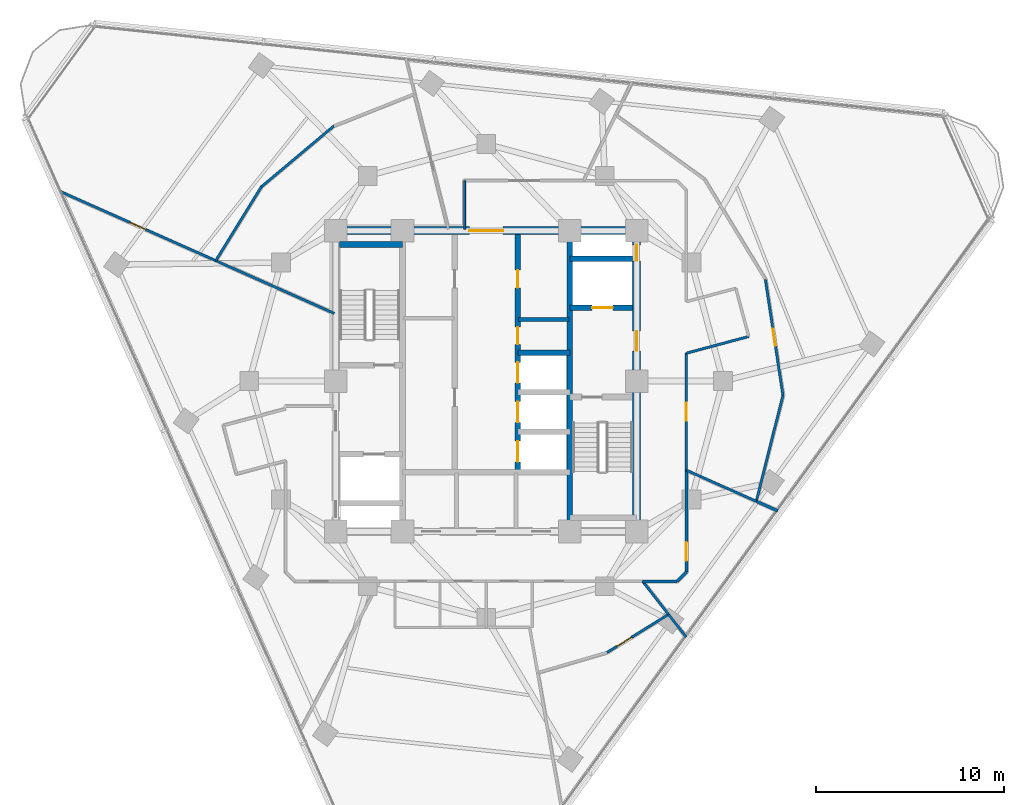
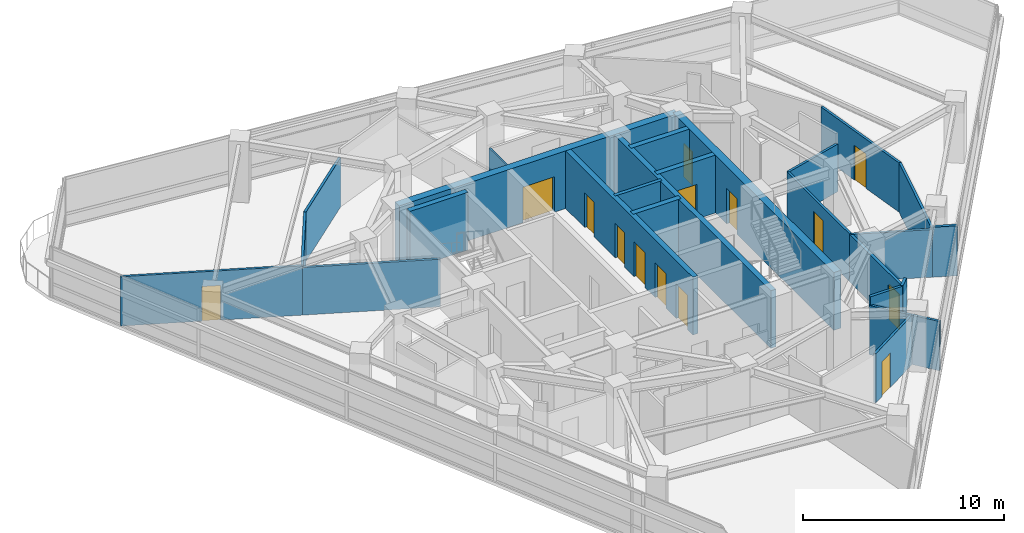
# One storey, part 9 of 15: 26 walls, 14 doors, 14 openings.
"""IFC4 building model written with IfcOpenShell, lengths in metres."""

from ifc_helpers import new_model, si_unit, direction, frame, frame_2d, origin, place, context, subcontext, project, spatial, rectangle, extrude, material, layer, layer_set, type_object, element, fill, save


model = new_model("IFC4")

# Units and contexts
model_context = context("Model", 3, precision=1e-05, world=origin(), true_north=direction((0.0, 1.0)))
body_context = subcontext(model_context, "Body", "Model", "MODEL_VIEW")
ifc_project = project(units=[si_unit("LENGTHUNIT", "METRE"), si_unit("AREAUNIT", "SQUARE_METRE"), si_unit("VOLUMEUNIT", "CUBIC_METRE"), si_unit("PLANEANGLEUNIT", "RADIAN"), si_unit("MASSUNIT", "GRAM", prefix="KILO")], contexts=[model_context])

# Site, building, storey
site_placement = place(None, origin())
site = spatial("IfcSite", under=ifc_project, at=site_placement, CompositionType="ELEMENT")
building_placement = place(site_placement, origin())
building = spatial("IfcBuilding", under=site, at=building_placement, Name="Terralouvre Media Tower", CompositionType="ELEMENT")
storey_placement = place(building_placement, frame((0.0, 0.0, 233.699951171875)))
storey = spatial("IfcBuildingStorey", under=building, at=storey_placement, Name="L60", CompositionType="ELEMENT", Elevation=233.699951171875)

# Walls
ifc_material_1 = material(Name="Concrete C50/60", Category="concrete")
ifc_layer_1 = layer(ifc_material_1, 0.300048828125, Name="Core Internal Shaft Wall CW-300")
ifc_layer_set_1 = layer_set([ifc_layer_1], Name="Concrete C50/60")
wall_type_1 = type_object("IfcWallType", Name="Core Internal Shaft Wall CW-300", PredefinedType="SHEAR", material=ifc_layer_set_1)
wall_1_placement = place(storey_placement, frame((4.449951171875, -7.7900390625, 0.0), z_axis=(0.0, 0.0, 1.0), x_axis=(0.0, 1.0, 0.0)))
element("IfcWall", 1, at=wall_1_placement, inside=storey, type_object=wall_type_1, Name="L60 Core Shaft Wall SPE", PredefinedType="SHEAR", context=body_context, shape_type="SweptSolid", body=[
    extrude(rectangle(XDim=15.580078125, YDim=0.300048828125, at=frame_2d((7.7900390625, 0.0))), origin(), (0.0, 0.0, 1.0), 3.5),
])
wall_2_placement = place(storey_placement, frame((-7.7900390625, 7.260009765625, 0.0), z_axis=(0.0, 0.0, 1.0), x_axis=(1.0, 0.0, 0.0)))
element("IfcWall", 2, at=wall_2_placement, inside=storey, type_object=wall_type_1, Name="L60 Core Shaft Wall ST1F", PredefinedType="SHEAR", context=body_context, shape_type="SweptSolid", body=[
    extrude(rectangle(XDim=3.340087890625, YDim=0.300048828125, at=frame_2d((1.669921875, 0.0))), origin(), (0.0, 0.0, 1.0), 3.5),
])

# Wall, opening, door
wall_3_placement = place(storey_placement, frame((4.449951171875, 3.89990234375, 0.0), z_axis=(0.0, 0.0, 1.0), x_axis=(1.0, 0.0, 0.0)))
wall_3 = element("IfcWall", 3, at=wall_3_placement, inside=storey, type_object=wall_type_1, Name="L60 Core Shaft Wall FF2S", PredefinedType="SHEAR", context=body_context, shape_type="SweptSolid", body=[
    extrude(rectangle(XDim=3.340087890625, YDim=0.300048828125, at=frame_2d((1.669921875, 0.0))), origin(), (0.0, 0.0, 1.0), 3.5),
])
opening_1_placement = place(wall_3_placement, frame((1.179931640625, 0.0, 0.0)))
opening_1 = element("IfcOpeningElement", 4, at=opening_1_placement, cuts=wall_3, Name="Opening LD-FF", PredefinedType="OPENING", context=body_context, shape_type="SweptSolid", body=[
    extrude(rectangle(XDim=1.10009765625, YDim=2.10009765625, at=frame_2d((0.550048828125, 1.050048828125))), frame((0.0, 0.159912109375, 0.0), z_axis=(0.0, -1.0, 0.0), x_axis=(1.0, 0.0, 0.0)), (0.0, 0.0, 1.0), 0.320068359375),
])
ifc_material_2 = material(Name="Stainless steel 316 handrail and balustrade", Category="steel")
door_type_1 = type_object("IfcDoorType", Name="Firefighting Lift Sliding Landing Door LD-FF", OperationType="SLIDING_TO_LEFT", PredefinedType="DOOR", material=ifc_material_2)
door_1_placement = place(opening_1_placement, origin())
door_1 = element("IfcDoor", 5, at=door_1_placement, inside=storey, type_object=door_type_1, Name="L60 Firefighting Lift FFL-02 Landing Door", OperationType="SLIDING_TO_LEFT", OverallHeight=2.10009765625, OverallWidth=1.10009765625, PredefinedType="DOOR", context=body_context, shape_type="SweptSolid", body=[
    extrude(rectangle(XDim=1.10009765625, YDim=2.10009765625, at=frame_2d((0.550048828125, 1.050048828125))), frame((0.0, 0.02490234375, 0.0), z_axis=(0.0, -1.0, 0.0), x_axis=(1.0, 0.0, 0.0)), (0.0, 0.0, 1.0), 0.050048828125),
])
fill(opening_1, door_1)

# Wall
wall_4_placement = place(storey_placement, frame((4.449951171875, 6.5, 0.0), z_axis=(0.0, 0.0, 1.0), x_axis=(1.0, 0.0, 0.0)))
element("IfcWall", 6, at=wall_4_placement, inside=storey, type_object=wall_type_1, Name="L60 Core Shaft Wall FF2N", PredefinedType="SHEAR", context=body_context, shape_type="SweptSolid", body=[
    extrude(rectangle(XDim=3.340087890625, YDim=0.300048828125, at=frame_2d((1.669921875, 0.0))), origin(), (0.0, 0.0, 1.0), 3.5),
])

# Wall, openings, doors
wall_5_placement = place(storey_placement, frame((1.679931640625, -4.85009765625, 0.0), z_axis=(0.0, 0.0, 1.0), x_axis=(0.0, 1.0, 0.0)))
wall_5 = element("IfcWall", 7, at=wall_5_placement, inside=storey, type_object=wall_type_1, Name="L60 Core Shaft Wall LBE", PredefinedType="SHEAR", context=body_context, shape_type="SweptSolid", body=[
    extrude(rectangle(XDim=12.64013671875, YDim=0.300048828125, at=frame_2d((6.320068359375, 0.0))), origin(), (0.0, 0.0, 1.0), 3.5),
])
opening_2_placement = place(wall_5_placement, frame((0.550048828125, 0.0, 0.0)))
opening_2 = element("IfcOpeningElement", 8, at=opening_2_placement, cuts=wall_5, Name="Opening LD-PL", PredefinedType="OPENING", context=body_context, shape_type="SweptSolid", body=[
    extrude(rectangle(XDim=1.10009765625, YDim=2.10009765625, at=frame_2d((0.550048828125, 1.050048828125))), frame((0.0, 0.159912109375, 0.0), z_axis=(0.0, -1.0, 0.0), x_axis=(1.0, 0.0, 0.0)), (0.0, 0.0, 1.0), 0.320068359375),
])
opening_3_placement = place(wall_5_placement, frame((2.64990234375, 0.0, 0.0)))
opening_3 = element("IfcOpeningElement", 9, at=opening_3_placement, cuts=wall_5, Name="Opening LD-PL", PredefinedType="OPENING", context=body_context, shape_type="SweptSolid", body=[
    extrude(rectangle(XDim=1.10009765625, YDim=2.10009765625, at=frame_2d((0.550048828125, 1.050048828125))), frame((0.0, 0.159912109375, 0.0), z_axis=(0.0, -1.0, 0.0), x_axis=(1.0, 0.0, 0.0)), (0.0, 0.0, 1.0), 0.320068359375),
])
opening_4_placement = place(wall_5_placement, frame((4.75, 0.0, 0.0)))
opening_4 = element("IfcOpeningElement", 10, at=opening_4_placement, cuts=wall_5, Name="Opening LD-PL", PredefinedType="OPENING", context=body_context, shape_type="SweptSolid", body=[
    extrude(rectangle(XDim=1.10009765625, YDim=2.10009765625, at=frame_2d((0.550048828125, 1.050048828125))), frame((0.0, 0.159912109375, 0.0), z_axis=(0.0, -1.0, 0.0), x_axis=(1.0, 0.0, 0.0)), (0.0, 0.0, 1.0), 0.320068359375),
])
opening_5_placement = place(wall_5_placement, frame((6.800048828125, 0.0, 0.0)))
opening_5 = element("IfcOpeningElement", 11, at=opening_5_placement, cuts=wall_5, Name="Opening FD-05-92X210", PredefinedType="OPENING", context=body_context, shape_type="SweptSolid", body=[
    extrude(rectangle(XDim=0.919921875, YDim=2.10009765625, at=frame_2d((0.4599609375, 1.050048828125))), frame((0.0, 0.159912109375, 0.0), z_axis=(0.0, -1.0, 0.0), x_axis=(1.0, 0.0, 0.0)), (0.0, 0.0, 1.0), 0.320068359375),
])
opening_6_placement = place(wall_5_placement, frame((9.800048828125, 0.0, 0.0)))
opening_6 = element("IfcOpeningElement", 12, at=opening_6_placement, cuts=wall_5, Name="Opening FD-02-95X210", PredefinedType="OPENING", context=body_context, shape_type="SweptSolid", body=[
    extrude(rectangle(XDim=0.949951171875, YDim=2.10009765625, at=frame_2d((0.47509765625, 1.050048828125))), frame((0.0, 0.159912109375, 0.0), z_axis=(0.0, -1.0, 0.0), x_axis=(1.0, 0.0, 0.0)), (0.0, 0.0, 1.0), 0.320068359375),
])
ifc_material_3 = material(Name="Galvanised steel fire-resisting leaf", Category="steel")
door_type_2 = type_object("IfcDoorType", Name="Core Accessible Closet Fire Door FD-05 (920x2100)", OperationType="NOTDEFINED", PredefinedType="DOOR", material=ifc_material_3)
door_2_placement = place(opening_5_placement, origin())
door_2 = element("IfcDoor", 13, at=door_2_placement, inside=storey, type_object=door_type_2, Name="L60 Core Safe Store Door", OperationType="SINGLE_SWING_LEFT", OverallHeight=2.10009765625, OverallWidth=0.919921875, PredefinedType="DOOR", context=body_context, shape_type="SweptSolid", body=[
    extrude(rectangle(XDim=0.919921875, YDim=2.10009765625, at=frame_2d((0.4599609375, 1.050048828125))), frame((0.0, 0.02490234375, 0.0), z_axis=(0.0, -1.0, 0.0), x_axis=(1.0, 0.0, 0.0)), (0.0, 0.0, 1.0), 0.050048828125),
])
fill(opening_5, door_2)
ifc_material_4 = material(Name="Stainless steel 316 handrail and balustrade", Category="steel")
door_type_3 = type_object("IfcDoorType", Name="Passenger Lift Sliding Landing Door LD-PL", OperationType="SLIDING_TO_LEFT", PredefinedType="DOOR", material=ifc_material_4)
door_3_placement = place(opening_2_placement, origin())
door_3 = element("IfcDoor", 14, at=door_3_placement, inside=storey, type_object=door_type_3, Name="L60 High-Rise Lift PL-H1 Landing Door", OperationType="SLIDING_TO_LEFT", OverallHeight=2.10009765625, OverallWidth=1.10009765625, PredefinedType="DOOR", context=body_context, shape_type="SweptSolid", body=[
    extrude(rectangle(XDim=1.10009765625, YDim=2.10009765625, at=frame_2d((0.550048828125, 1.050048828125))), frame((0.0, 0.02490234375, 0.0), z_axis=(0.0, -1.0, 0.0), x_axis=(1.0, 0.0, 0.0)), (0.0, 0.0, 1.0), 0.050048828125),
])
fill(opening_2, door_3)
door_4_placement = place(opening_3_placement, origin())
door_4 = element("IfcDoor", 15, at=door_4_placement, inside=storey, type_object=door_type_3, Name="L60 High-Rise Lift PL-H2 Landing Door", OperationType="SLIDING_TO_LEFT", OverallHeight=2.10009765625, OverallWidth=1.10009765625, PredefinedType="DOOR", context=body_context, shape_type="SweptSolid", body=[
    extrude(rectangle(XDim=1.10009765625, YDim=2.10009765625, at=frame_2d((0.550048828125, 1.050048828125))), frame((0.0, 0.02490234375, 0.0), z_axis=(0.0, -1.0, 0.0), x_axis=(1.0, 0.0, 0.0)), (0.0, 0.0, 1.0), 0.050048828125),
])
fill(opening_3, door_4)
door_5_placement = place(opening_4_placement, origin())
door_5 = element("IfcDoor", 16, at=door_5_placement, inside=storey, type_object=door_type_3, Name="L60 High-Rise Lift PL-H3 Landing Door", OperationType="SLIDING_TO_LEFT", OverallHeight=2.10009765625, OverallWidth=1.10009765625, PredefinedType="DOOR", context=body_context, shape_type="SweptSolid", body=[
    extrude(rectangle(XDim=1.10009765625, YDim=2.10009765625, at=frame_2d((0.550048828125, 1.050048828125))), frame((0.0, 0.02490234375, 0.0), z_axis=(0.0, -1.0, 0.0), x_axis=(1.0, 0.0, 0.0)), (0.0, 0.0, 1.0), 0.050048828125),
])
fill(opening_4, door_5)
ifc_material_5 = material(Name="Galvanised steel fire-resisting leaf", Category="steel")
door_type_4 = type_object("IfcDoorType", Name="Plant and Riser Fire Door FD-02 (950x2100)", OperationType="NOTDEFINED", PredefinedType="DOOR", material=ifc_material_5)
door_6_placement = place(opening_6_placement, origin())
door_6 = element("IfcDoor", 17, at=door_6_placement, inside=storey, type_object=door_type_4, Name="L60 Core IT Patch Plant Door", OperationType="SINGLE_SWING_RIGHT", OverallHeight=2.10009765625, OverallWidth=0.949951171875, PredefinedType="DOOR", context=body_context, shape_type="SweptSolid", body=[
    extrude(rectangle(XDim=0.949951171875, YDim=2.10009765625, at=frame_2d((0.47509765625, 1.050048828125))), frame((0.0, 0.02490234375, 0.0), z_axis=(0.0, -1.0, 0.0), x_axis=(1.0, 0.0, 0.0)), (0.0, 0.0, 1.0), 0.050048828125),
])
fill(opening_6, door_6)

# Wall
wall_6_placement = place(storey_placement, frame((1.679931640625, 1.5, 0.0), z_axis=(0.0, 0.0, 1.0), x_axis=(1.0, 0.0, 0.0)))
element("IfcWall", 18, at=wall_6_placement, inside=storey, type_object=wall_type_1, Name="L60 Core Shaft Wall PLMBOT", PredefinedType="SHEAR", context=body_context, shape_type="SweptSolid", body=[
    extrude(rectangle(XDim=2.77001953125, YDim=0.300048828125, at=frame_2d((1.385009765625, 0.0))), origin(), (0.0, 0.0, 1.0), 3.5),
])

# Wall, openings, doors
ifc_material_6 = material(Name="Concrete C60/75", Category="concrete")
ifc_layer_2 = layer(ifc_material_6, 0.419921875, Name="Core Reinforced Concrete Shear Wall CW-420")
ifc_layer_set_2 = layer_set([ifc_layer_2], Name="Concrete C60/75")
wall_type_2 = type_object("IfcWallType", Name="Core Reinforced Concrete Shear Wall CW-420", PredefinedType="SHEAR", material=ifc_layer_set_2)
wall_7_placement = place(storey_placement, frame((8.0, -8.0, 0.0), z_axis=(0.0, 0.0, 1.0), x_axis=(0.0, 1.0, 0.0)))
wall_7 = element("IfcWall", 19, at=wall_7_placement, inside=storey, type_object=wall_type_2, Name="L60 E Core Shear Wall", PredefinedType="SHEAR", context=body_context, shape_type="SweptSolid", body=[
    extrude(rectangle(XDim=16.0, YDim=0.419921875, at=frame_2d((8.0, 0.0))), origin(), (0.0, 0.0, 1.0), 3.5),
])
opening_7_placement = place(wall_7_placement, frame((9.60009765625, 0.0, 0.0)))
opening_7 = element("IfcOpeningElement", 20, at=opening_7_placement, cuts=wall_7, Name="Opening FD-01-105X215", PredefinedType="OPENING", context=body_context, shape_type="SweptSolid", body=[
    extrude(rectangle(XDim=1.050048828125, YDim=2.14990234375, at=frame_2d((0.52490234375, 1.074951171875))), frame((0.0, 0.219970703125, 0.0), z_axis=(0.0, -1.0, 0.0), x_axis=(1.0, 0.0, 0.0)), (0.0, 0.0, 1.0), 0.43994140625),
])
opening_8_placement = place(wall_7_placement, frame((14.388671875, 0.0, 0.0)))
opening_8 = element("IfcOpeningElement", 21, at=opening_8_placement, cuts=wall_7, Name="Opening TD-R1", PredefinedType="OPENING", context=body_context, shape_type="SweptSolid", body=[
    extrude(rectangle(XDim=0.85009765625, YDim=2.02001953125, at=frame_2d((0.425048828125, 1.010009765625))), frame((0.0, 0.219970703125, 0.0), z_axis=(0.0, -1.0, 0.0), x_axis=(1.0, 0.0, 0.0)), (0.0, 0.0, 1.0), 0.43994140625),
])
ifc_material_7 = material(Name="Galvanised steel fire-resisting leaf", Category="steel")
door_type_5 = type_object("IfcDoorType", Name="Riser Inspection Access Trapdoor TD-R1", OperationType="NOTDEFINED", PredefinedType="TRAPDOOR", material=ifc_material_7)
door_7_placement = place(opening_8_placement, origin())
door_7 = element("IfcDoor", 22, at=door_7_placement, inside=storey, type_object=door_type_5, Name="L60 East Comms Riser Access Trapdoor", OperationType="SINGLE_SWING_RIGHT", OverallHeight=2.02001953125, OverallWidth=0.85009765625, PredefinedType="TRAPDOOR", context=body_context, shape_type="SweptSolid", body=[
    extrude(rectangle(XDim=0.85009765625, YDim=2.02001953125, at=frame_2d((0.425048828125, 1.010009765625))), frame((0.0, 0.02490234375, 0.0), z_axis=(0.0, -1.0, 0.0), x_axis=(1.0, 0.0, 0.0)), (0.0, 0.0, 1.0), 0.050048828125),
])
fill(opening_8, door_7)
ifc_material_8 = material(Name="Galvanised steel fire-resisting leaf", Category="steel")
door_type_6 = type_object("IfcDoorType", Name="Stair and Firefighting Lobby Fire Door FD-01 (1050x2150)", OperationType="NOTDEFINED", PredefinedType="DOOR", material=ifc_material_8)
door_8_placement = place(opening_7_placement, origin())
door_8 = element("IfcDoor", 23, at=door_8_placement, inside=storey, type_object=door_type_6, Name="L60 East Firefighting Lobby Entry Door", OperationType="SINGLE_SWING_LEFT", OverallHeight=2.14990234375, OverallWidth=1.050048828125, PredefinedType="DOOR", context=body_context, shape_type="SweptSolid", body=[
    extrude(rectangle(XDim=1.050048828125, YDim=2.14990234375, at=frame_2d((0.52490234375, 1.074951171875))), frame((0.0, 0.02490234375, 0.0), z_axis=(0.0, -1.0, 0.0), x_axis=(1.0, 0.0, 0.0)), (0.0, 0.0, 1.0), 0.050048828125),
])
fill(opening_7, door_8)

# Wall, opening, door
wall_8_placement = place(storey_placement, frame((-8.0, 8.0, 0.0), z_axis=(0.0, 0.0, 1.0), x_axis=(1.0, 0.0, 0.0)))
wall_8 = element("IfcWall", 24, at=wall_8_placement, inside=storey, type_object=wall_type_2, Name="L60 N Core Shear Wall", PredefinedType="SHEAR", context=body_context, shape_type="SweptSolid", body=[
    extrude(rectangle(XDim=16.0, YDim=0.419921875, at=frame_2d((8.0, 0.0))), origin(), (0.0, 0.0, 1.0), 3.5),
])
opening_9_placement = place(wall_8_placement, frame((7.10009765625, 0.0, 0.0)))
opening_9 = element("IfcOpeningElement", 25, at=opening_9_placement, cuts=wall_8, Name="Opening FD-03", PredefinedType="OPENING", context=body_context, shape_type="SweptSolid", body=[
    extrude(rectangle(XDim=1.800048828125, YDim=2.14990234375, at=frame_2d((0.89990234375, 1.074951171875))), frame((0.0, 0.219970703125, 0.0), z_axis=(0.0, -1.0, 0.0), x_axis=(1.0, 0.0, 0.0)), (0.0, 0.0, 1.0), 0.43994140625),
])
ifc_material_9 = material(Name="Galvanised steel fire-resisting leaf", Category="steel")
door_type_7 = type_object("IfcDoorType", Name="Corridor Smoke-Control Double Door FD-03", OperationType="DOUBLE_DOOR_SINGLE_SWING", PredefinedType="DOOR", material=ifc_material_9)
door_9_placement = place(opening_9_placement, origin())
door_9 = element("IfcDoor", 26, at=door_9_placement, inside=storey, type_object=door_type_7, Name="L60 Central Lift Lobby Portal Door", OperationType="DOUBLE_DOOR_SINGLE_SWING", OverallHeight=2.14990234375, OverallWidth=1.800048828125, PredefinedType="DOOR", context=body_context, shape_type="SweptSolid", body=[
    extrude(rectangle(XDim=1.800048828125, YDim=2.14990234375, at=frame_2d((0.89990234375, 1.074951171875))), frame((0.0, 0.02490234375, 0.0), z_axis=(0.0, -1.0, 0.0), x_axis=(1.0, 0.0, 0.0)), (0.0, 0.0, 1.0), 0.050048828125),
])
fill(opening_9, door_9)

# Walls
ifc_material_10 = material(Name="Low-iron laminated double glazing with solar-control coating", Category="glass")
ifc_layer_3 = layer(ifc_material_10, 0.10009765625, Name="Demountable Glazed Office Partition PT-GL100")
ifc_layer_set_3 = layer_set([ifc_layer_3], Name="Low-iron laminated double glazing with solar-control coating")
wall_type_3 = type_object("IfcWallType", Name="Demountable Glazed Office Partition PT-GL100", PredefinedType="MOVABLE", material=ifc_layer_set_3)
wall_9_placement = place(storey_placement, frame((-1.14990234375, 10.64990234375, 0.0), z_axis=(0.0, 0.0, 1.0), x_axis=(0.0, -1.0, 0.0)))
element("IfcWall", 27, at=wall_9_placement, inside=storey, type_object=wall_type_3, Name="L60 Interior Partition 024", PredefinedType="MOVABLE", context=body_context, shape_type="SweptSolid", body=[
    extrude(rectangle(XDim=2.56982421875, YDim=0.10009765625, at=frame_2d((1.284912109375, 0.0))), origin(), (0.0, 0.0, 1.0), 2.885009765625),
])
ifc_material_11 = material(Name="Fire-rated gypsum board drywall partition")
ifc_layer_4 = layer(ifc_material_11, 0.199951171875, Name="Fire-Rated Shaft and Lobby Partition FW-200")
ifc_layer_set_4 = layer_set([ifc_layer_4], Name="Fire-rated gypsum board drywall partition")
wall_type_4 = type_object("IfcWallType", Name="Fire-Rated Shaft and Lobby Partition FW-200", PredefinedType="SOLIDWALL", material=ifc_layer_set_4)
wall_10_placement = place(storey_placement, frame((1.719970703125, 3.27001953125, 0.0), z_axis=(0.0, 0.0, 1.0), x_axis=(1.0, 0.0, 0.0)))
element("IfcWall", 28, at=wall_10_placement, inside=storey, type_object=wall_type_4, Name="L60 Core East Sub-Partition 1", PredefinedType="SOLIDWALL", context=body_context, shape_type="SweptSolid", body=[
    extrude(rectangle(XDim=2.679931640625, YDim=0.199951171875, at=frame_2d((1.33984375, 0.0))), origin(), (0.0, 0.0, 1.0), 3.5),
])

# Wall, opening, door
ifc_material_12 = material(Name="Fire-rated gypsum board drywall partition")
ifc_layer_5 = layer(ifc_material_12, 0.135009765625, Name="Newsroom Acoustic Partition PT-135")
ifc_layer_set_5 = layer_set([ifc_layer_5], Name="Fire-rated gypsum board drywall partition")
wall_type_5 = type_object("IfcWallType", Name="Newsroom Acoustic Partition PT-135", PredefinedType="PARTITIONING", material=ifc_layer_set_5)
wall_11_placement = place(storey_placement, frame((10.64990234375, -4.741943359375, 0.0), z_axis=(0.0, 0.0, 1.0), x_axis=(0.0, 1.0, 0.0)))
wall_11 = element("IfcWall", 29, at=wall_11_placement, inside=storey, type_object=wall_type_5, Name="L60 Interior Partition 008", PredefinedType="PARTITIONING", context=body_context, shape_type="SweptSolid", body=[
    extrude(rectangle(XDim=6.223876953125, YDim=0.135009765625, at=frame_2d((3.11181640625, 0.0))), origin(), (0.0, 0.0, 1.0), 2.885009765625),
])
opening_10_placement = place(wall_11_placement, frame((2.636962890625, 0.0, 0.0)))
opening_10 = element("IfcOpeningElement", 30, at=opening_10_placement, cuts=wall_11, Name="Opening ID-02-95X210", PredefinedType="OPENING", context=body_context, shape_type="SweptSolid", body=[
    extrude(rectangle(XDim=0.949951171875, YDim=2.10009765625, at=frame_2d((0.47509765625, 1.050048828125))), frame((0.0, 0.077392578125, 0.0), z_axis=(0.0, -1.0, 0.0), x_axis=(1.0, 0.0, 0.0)), (0.0, 0.0, 1.0), 0.155029296875),
])
ifc_material_13 = material(Name="Engineered hardwood acoustic timber leaf", Category="wood")
door_type_8 = type_object("IfcDoorType", Name="Office and Meeting Room Door ID-02 (950x2100)", OperationType="NOTDEFINED", PredefinedType="DOOR", material=ifc_material_13)
door_10_placement = place(opening_10_placement, origin())
door_10 = element("IfcDoor", 31, at=door_10_placement, inside=storey, type_object=door_type_8, Name="L60 Public Records Archive Storage 2 Door", OperationType="SINGLE_SWING_LEFT", OverallHeight=2.10009765625, OverallWidth=0.949951171875, PredefinedType="DOOR", context=body_context, shape_type="SweptSolid", body=[
    extrude(rectangle(XDim=0.949951171875, YDim=2.10009765625, at=frame_2d((0.47509765625, 1.050048828125))), frame((0.0, 0.02490234375, 0.0), z_axis=(0.0, -1.0, 0.0), x_axis=(1.0, 0.0, 0.0)), (0.0, 0.0, 1.0), 0.050048828125),
])
fill(opening_10, door_10)

# Walls
wall_12_placement = place(storey_placement, frame((10.64990234375, 1.48193359375, 0.0), z_axis=(0.0, 0.0, 1.0), x_axis=(0.965961397105, 0.2586862565, 0.0)))
element("IfcWall", 32, at=wall_12_placement, inside=storey, type_object=wall_type_5, Name="L60 Interior Partition 009", PredefinedType="PARTITIONING", context=body_context, shape_type="SweptSolid", body=[
    extrude(rectangle(XDim=3.4287109375, YDim=0.135009765625, at=frame_2d((1.71435546875, 0.0))), origin(), (0.0, 0.0, 1.0), 2.885009765625),
])
wall_13_placement = place(storey_placement, frame((-8.080078125, 3.59716796875, 0.0), z_axis=(0.0, 0.0, 1.0), x_axis=(-0.913494385598, 0.40685133339, 0.0)))
element("IfcWall", 33, at=wall_13_placement, inside=storey, type_object=wall_type_5, Name="L60 Interior Partition 026", PredefinedType="PARTITIONING", context=body_context, shape_type="SweptSolid", body=[
    extrude(rectangle(XDim=6.894287109375, YDim=0.135009765625, at=frame_2d((3.447265625, 0.0))), origin(), (0.0, 0.0, 1.0), 2.885009765625),
])

# Wall, opening, door
wall_14_placement = place(storey_placement, frame((-14.3779296875, 6.402099609375, 0.0), z_axis=(0.0, 0.0, 1.0), x_axis=(-0.913562917951, 0.406697424315, 0.0)))
wall_14 = element("IfcWall", 34, at=wall_14_placement, inside=storey, type_object=wall_type_5, Name="L60 Interior Partition 027", PredefinedType="PARTITIONING", context=body_context, shape_type="SweptSolid", body=[
    extrude(rectangle(XDim=9.07666015625, YDim=0.135009765625, at=frame_2d((4.538330078125, 0.0))), origin(), (0.0, 0.0, 1.0), 2.985107421875),
])
opening_11_placement = place(wall_14_placement, frame((4.078369140625, 0.0, 0.0)))
opening_11 = element("IfcOpeningElement", 35, at=opening_11_placement, cuts=wall_14, Name="Opening FD-05-92X210", PredefinedType="OPENING", context=body_context, shape_type="SweptSolid", body=[
    extrude(rectangle(XDim=0.919921875, YDim=2.10009765625, at=frame_2d((0.4599609375, 1.050048828125))), frame((0.0, 0.077392578125, 0.0), z_axis=(0.0, -1.0, 0.0), x_axis=(1.0, 0.0, 0.0)), (0.0, 0.0, 1.0), 0.155029296875),
])
door_11_placement = place(opening_11_placement, origin())
door_11 = element("IfcDoor", 36, at=door_11_placement, inside=storey, type_object=door_type_2, Name="L60 Encrypted Air-Gap Server Room 10 Door", OperationType="SINGLE_SWING_RIGHT", OverallHeight=2.10009765625, OverallWidth=0.919921875, PredefinedType="DOOR", context=body_context, shape_type="SweptSolid", body=[
    extrude(rectangle(XDim=0.919921875, YDim=2.10009765625, at=frame_2d((0.4599609375, 1.050048828125))), frame((0.0, 0.02490234375, 0.0), z_axis=(0.0, -1.0, 0.0), x_axis=(1.0, 0.0, 0.0)), (0.0, 0.0, 1.0), 0.050048828125),
])
fill(opening_11, door_11)

# Walls
wall_15_placement = place(storey_placement, frame((10.64990234375, -4.741943359375, 0.0), z_axis=(0.0, 0.0, 1.0), x_axis=(0.913556239153, -0.406712426544, 0.0)))
element("IfcWall", 37, at=wall_15_placement, inside=storey, type_object=wall_type_5, Name="L60 Interior Partition 028", PredefinedType="PARTITIONING", context=body_context, shape_type="SweptSolid", body=[
    extrude(rectangle(XDim=4.064453125, YDim=0.135009765625, at=frame_2d((2.0322265625, 0.0))), origin(), (0.0, 0.0, 1.0), 2.885009765625),
])
wall_16_placement = place(storey_placement, frame((14.363037109375, -6.39501953125, 0.0), z_axis=(0.0, 0.0, 1.0), x_axis=(0.244106617879, 0.969748399899, 0.0)))
element("IfcWall", 38, at=wall_16_placement, inside=storey, type_object=wall_type_5, Name="L60 Interior Partition 029", PredefinedType="PARTITIONING", context=body_context, shape_type="SweptSolid", body=[
    extrude(rectangle(XDim=5.812744140625, YDim=0.135009765625, at=frame_2d((2.90625, 0.0))), origin(), (0.0, 0.0, 1.0), 2.985107421875),
])

# Wall, opening, door
wall_17_placement = place(storey_placement, frame((15.781982421875, -0.758056640625, 0.0), z_axis=(0.0, 0.0, 1.0), x_axis=(-0.150025845784, 0.988682075086, 0.0)))
wall_17 = element("IfcWall", 39, at=wall_17_placement, inside=storey, type_object=wall_type_5, Name="L60 Interior Partition 030", PredefinedType="PARTITIONING", context=body_context, shape_type="SweptSolid", body=[
    extrude(rectangle(XDim=6.232666015625, YDim=0.135009765625, at=frame_2d((3.1162109375, 0.0))), origin(), (0.0, 0.0, 1.0), 2.985107421875),
])
opening_12_placement = place(wall_17_placement, frame((2.65625, 0.0, 0.0)))
opening_12 = element("IfcOpeningElement", 40, at=opening_12_placement, cuts=wall_17, Name="Opening ID-03-92X210", PredefinedType="OPENING", context=body_context, shape_type="SweptSolid", body=[
    extrude(rectangle(XDim=0.919921875, YDim=2.10009765625, at=frame_2d((0.4599609375, 1.050048828125))), frame((0.0, 0.077392578125, 0.0), z_axis=(0.0, -1.0, 0.0), x_axis=(1.0, 0.0, 0.0)), (0.0, 0.0, 1.0), 0.155029296875),
])
ifc_material_14 = material(Name="Engineered hardwood acoustic timber leaf", Category="wood")
door_type_9 = type_object("IfcDoorType", Name="Accessible Restroom and Suite Door ID-03 (920x2100)", OperationType="NOTDEFINED", PredefinedType="DOOR", material=ifc_material_14)
door_12_placement = place(opening_12_placement, origin())
door_12 = element("IfcDoor", 41, at=door_12_placement, inside=storey, type_object=door_type_9, Name="L60 Source Briefing Interview Room 7 Door", OperationType="SINGLE_SWING_RIGHT", OverallHeight=2.10009765625, OverallWidth=0.919921875, PredefinedType="DOOR", context=body_context, shape_type="SweptSolid", body=[
    extrude(rectangle(XDim=0.919921875, YDim=2.10009765625, at=frame_2d((0.4599609375, 1.050048828125))), frame((0.0, 0.02490234375, 0.0), z_axis=(0.0, -1.0, 0.0), x_axis=(1.0, 0.0, 0.0)), (0.0, 0.0, 1.0), 0.050048828125),
])
fill(opening_12, door_12)

wall_18_placement = place(storey_placement, frame((9.696044921875, -12.410888671875, 0.0), z_axis=(0.0, 0.0, 1.0), x_axis=(-0.850393663863, -0.526146953295, 0.0)))
wall_18 = element("IfcWall", 42, at=wall_18_placement, inside=storey, type_object=wall_type_5, Name="L60 Interior Partition 043", PredefinedType="PARTITIONING", context=body_context, shape_type="SweptSolid", body=[
    extrude(rectangle(XDim=3.84521484375, YDim=0.135009765625, at=frame_2d((1.922607421875, 0.0))), origin(), (0.0, 0.0, 1.0), 2.985107421875),
])
opening_13_placement = place(wall_18_placement, frame((2.30859375, 0.0, 0.0)))
opening_13 = element("IfcOpeningElement", 43, at=opening_13_placement, cuts=wall_18, Name="Opening ID-03-92X210", PredefinedType="OPENING", context=body_context, shape_type="SweptSolid", body=[
    extrude(rectangle(XDim=0.919921875, YDim=2.10009765625, at=frame_2d((0.4599609375, 1.050048828125))), frame((0.0, 0.077392578125, 0.0), z_axis=(0.0, -1.0, 0.0), x_axis=(1.0, 0.0, 0.0)), (0.0, 0.0, 1.0), 0.155029296875),
])
door_13_placement = place(opening_13_placement, origin())
door_13 = element("IfcDoor", 44, at=door_13_placement, inside=storey, type_object=door_type_9, Name="L60 Investigative Desk Open Office 4 Door", OperationType="SINGLE_SWING_LEFT", OverallHeight=2.10009765625, OverallWidth=0.919921875, PredefinedType="DOOR", context=body_context, shape_type="SweptSolid", body=[
    extrude(rectangle(XDim=0.919921875, YDim=2.10009765625, at=frame_2d((0.4599609375, 1.050048828125))), frame((0.0, 0.02490234375, 0.0), z_axis=(0.0, -1.0, 0.0), x_axis=(1.0, 0.0, 0.0)), (0.0, 0.0, 1.0), 0.050048828125),
])
fill(opening_13, door_13)

# Walls
wall_19_placement = place(storey_placement, frame((10.634765625, -13.612060546875, 0.0), z_axis=(0.0, 0.0, 1.0), x_axis=(-0.615768345532, 0.787927245779, 0.0)))
element("IfcWall", 45, at=wall_19_placement, inside=storey, type_object=wall_type_5, Name="L60 Interior Partition 045", PredefinedType="PARTITIONING", context=body_context, shape_type="SweptSolid", body=[
    extrude(rectangle(XDim=1.5244140625, YDim=0.135009765625, at=frame_2d((0.76220703125, 0.0))), origin(), (0.0, 0.0, 1.0), 2.985107421875),
])
wall_20_placement = place(storey_placement, frame((9.696044921875, -12.410888671875, 0.0), z_axis=(0.0, 0.0, 1.0), x_axis=(-0.615429845305, 0.788191668002, 0.0)))
element("IfcWall", 46, at=wall_20_placement, inside=storey, type_object=wall_type_5, Name="L60 Interior Partition 046", PredefinedType="PARTITIONING", context=body_context, shape_type="SweptSolid", body=[
    extrude(rectangle(XDim=2.234130859375, YDim=0.135009765625, at=frame_2d((1.1171875, 0.0))), origin(), (0.0, 0.0, 1.0), 2.985107421875),
])
wall_21_placement = place(storey_placement, frame((-8.097900390625, 13.56689453125, 0.0), z_axis=(0.0, 0.0, 1.0), x_axis=(-0.766114520239, -0.642704085781, 0.0)))
element("IfcWall", 47, at=wall_21_placement, inside=storey, type_object=wall_type_5, Name="L60 Interior Partition 052", PredefinedType="PARTITIONING", context=body_context, shape_type="SweptSolid", body=[
    extrude(rectangle(XDim=5.03466796875, YDim=0.135009765625, at=frame_2d((2.517333984375, 0.0))), origin(), (0.0, 0.0, 1.0), 2.985107421875),
])
wall_22_placement = place(storey_placement, frame((-11.955078125, 10.3310546875, 0.0), z_axis=(0.0, 0.0, 1.0), x_axis=(-0.524888064347, -0.851171263557, 0.0)))
element("IfcWall", 48, at=wall_22_placement, inside=storey, type_object=wall_type_5, Name="L60 Interior Partition 053", PredefinedType="PARTITIONING", context=body_context, shape_type="SweptSolid", body=[
    extrude(rectangle(XDim=4.615966796875, YDim=0.135009765625, at=frame_2d((2.30810546875, 0.0))), origin(), (0.0, 0.0, 1.0), 2.985107421875),
])
ifc_material_15 = material(Name="Fire-rated gypsum board drywall partition")
ifc_layer_6 = layer(ifc_material_15, 0.159912109375, Name="Studio Acoustic Rated Partition PT-160")
ifc_layer_set_6 = layer_set([ifc_layer_6], Name="Fire-rated gypsum board drywall partition")
wall_type_6 = type_object("IfcWallType", Name="Studio Acoustic Rated Partition PT-160", PredefinedType="PARTITIONING", material=ifc_layer_set_6)
wall_23_placement = place(storey_placement, frame((8.321044921875, -10.64990234375, 0.0), z_axis=(0.0, 0.0, 1.0), x_axis=(1.0, 0.0, 0.0)))
element("IfcWall", 49, at=wall_23_placement, inside=storey, type_object=wall_type_6, Name="L60 Interior Partition 020", PredefinedType="PARTITIONING", context=body_context, shape_type="SweptSolid", body=[
    extrude(rectangle(XDim=1.828857421875, YDim=0.159912109375, at=frame_2d((0.91455078125, 0.0))), origin(), (0.0, 0.0, 1.0), 3.5),
])
wall_24_placement = place(storey_placement, frame((10.14990234375, -10.64990234375, 0.0), z_axis=(0.0, 0.0, 1.0), x_axis=(0.707106781187, 0.707106781187, 0.0)))
element("IfcWall", 50, at=wall_24_placement, inside=storey, type_object=wall_type_6, Name="L60 Interior Partition 021", PredefinedType="PARTITIONING", context=body_context, shape_type="SweptSolid", body=[
    extrude(rectangle(XDim=0.70703125, YDim=0.159912109375, at=frame_2d((0.353515625, 0.0))), origin(), (0.0, 0.0, 1.0), 3.5),
])

# Wall, opening, door
wall_25_placement = place(storey_placement, frame((10.64990234375, -10.14990234375, 0.0), z_axis=(0.0, 0.0, 1.0), x_axis=(0.0, 1.0, 0.0)))
wall_25 = element("IfcWall", 51, at=wall_25_placement, inside=storey, type_object=wall_type_6, Name="L60 Interior Partition 022", PredefinedType="PARTITIONING", context=body_context, shape_type="SweptSolid", body=[
    extrude(rectangle(XDim=5.407958984375, YDim=0.159912109375, at=frame_2d((2.7041015625, 0.0))), origin(), (0.0, 0.0, 1.0), 2.885009765625),
])
opening_14_placement = place(wall_25_placement, frame((0.58154296875, 0.0, 0.0)))
opening_14 = element("IfcOpeningElement", 52, at=opening_14_placement, cuts=wall_25, Name="Opening ID-01-100X215", PredefinedType="OPENING", context=body_context, shape_type="SweptSolid", body=[
    extrude(rectangle(XDim=1.0, YDim=2.14990234375, at=frame_2d((0.5, 1.074951171875))), frame((0.0, 0.08984375, 0.0), z_axis=(0.0, -1.0, 0.0), x_axis=(1.0, 0.0, 0.0)), (0.0, 0.0, 1.0), 0.179931640625),
])
ifc_material_16 = material(Name="Engineered hardwood acoustic timber leaf", Category="wood")
door_type_10 = type_object("IfcDoorType", Name="Broadcast Studio Acoustic Single Door ID-01 (1000x2150)", OperationType="NOTDEFINED", PredefinedType="DOOR", material=ifc_material_16)
door_14_placement = place(opening_14_placement, origin())
door_14 = element("IfcDoor", 53, at=door_14_placement, inside=storey, type_object=door_type_10, Name="L60 OSINT Verification Control Room 6 Door", OperationType="SINGLE_SWING_RIGHT", OverallHeight=2.14990234375, OverallWidth=1.0, PredefinedType="DOOR", context=body_context, shape_type="SweptSolid", body=[
    extrude(rectangle(XDim=1.0, YDim=2.14990234375, at=frame_2d((0.5, 1.074951171875))), frame((0.0, 0.02490234375, 0.0), z_axis=(0.0, -1.0, 0.0), x_axis=(1.0, 0.0, 0.0)), (0.0, 0.0, 1.0), 0.050048828125),
])
fill(opening_14, door_14)

# Wall
wall_26_placement = place(storey_placement, frame((15.508056640625, -6.904541015625, 0.0), z_axis=(0.0, 0.0, 1.0), x_axis=(-0.913626692327, 0.406554137929, 0.0)))
element("IfcWall", 54, at=wall_26_placement, inside=storey, type_object=wall_type_6, Name="L60 Interior Partition 047", PredefinedType="PARTITIONING", context=body_context, shape_type="SweptSolid", body=[
    extrude(rectangle(XDim=1.253173828125, YDim=0.159912109375, at=frame_2d((0.62646484375, 0.0))), origin(), (0.0, 0.0, 1.0), 3.03515625),
])

save(model, "model.ifc")
